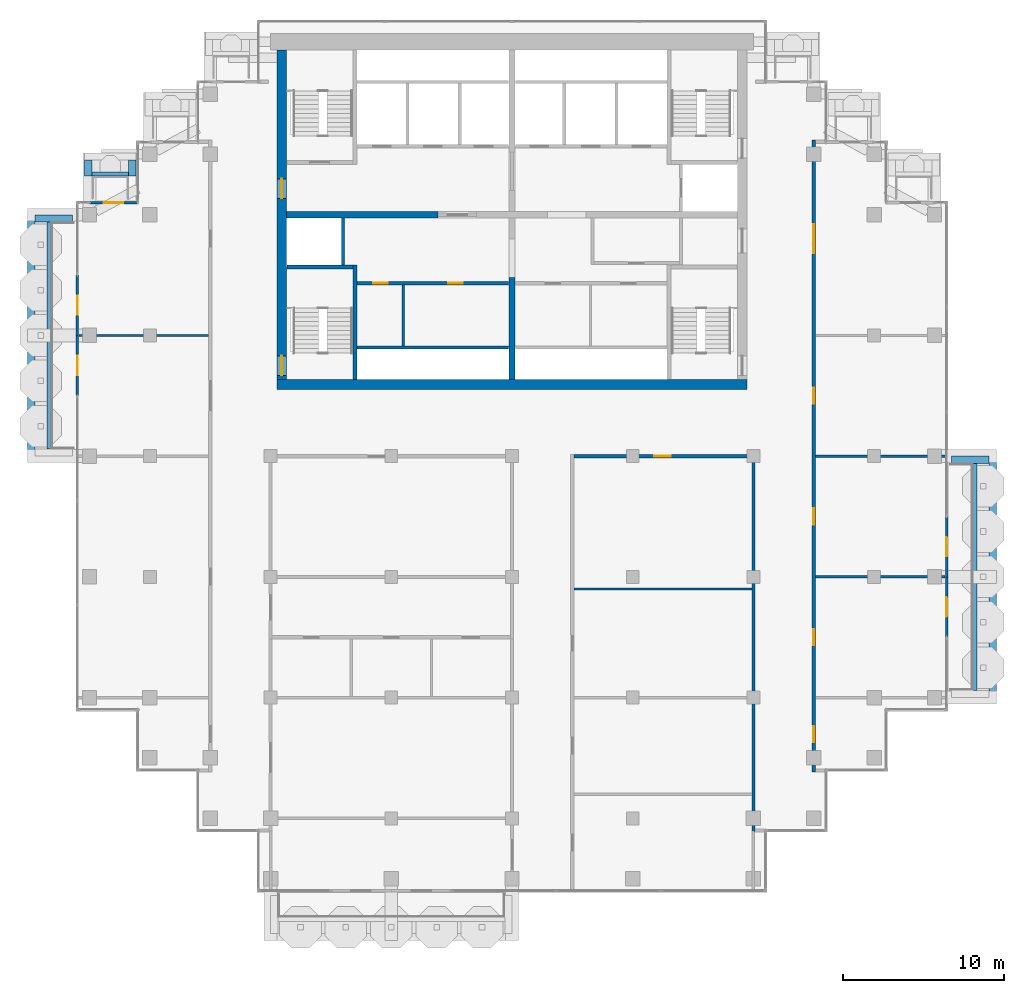
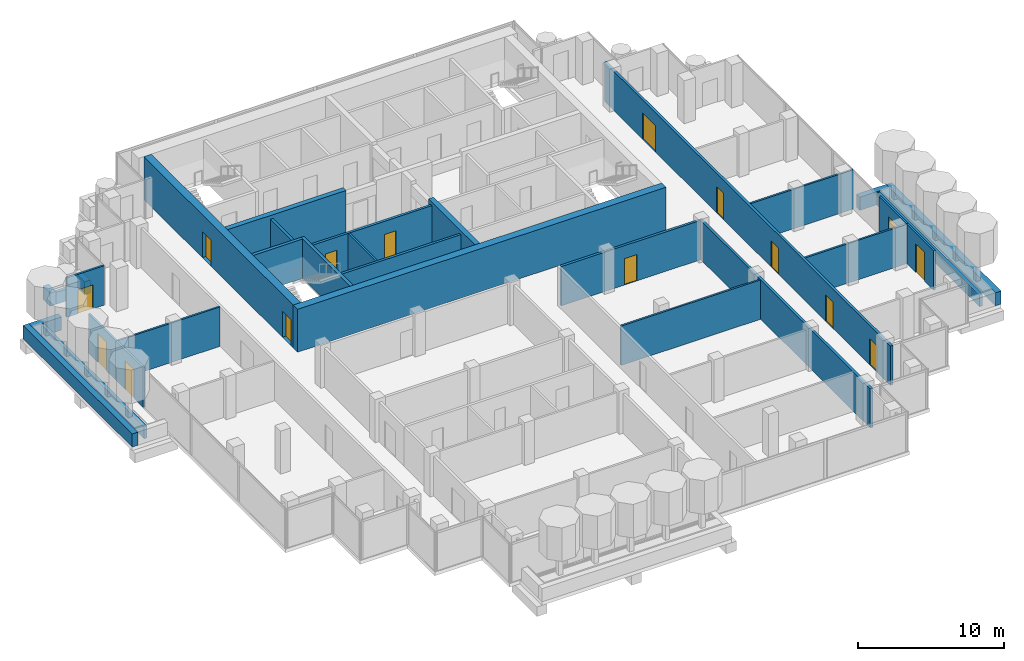
# One storey, part 12 of 18: 31 walls, 15 doors, 15 openings.
"""IFC4 building model written with IfcOpenShell, lengths in metres."""

from ifc_helpers import new_model, si_unit, direction, frame, frame_2d, origin, place, context, subcontext, project, spatial, rectangle, extrude, material, layer, layer_set, type_object, element, fill, save


model = new_model("IFC4")

# Units and contexts
model_context = context("Model", 3, precision=1e-05, world=origin(), true_north=direction((0.0, 1.0)))
body_context = subcontext(model_context, "Body", "Model", "MODEL_VIEW")
ifc_project = project(units=[si_unit("LENGTHUNIT", "METRE"), si_unit("AREAUNIT", "SQUARE_METRE"), si_unit("VOLUMEUNIT", "CUBIC_METRE"), si_unit("PLANEANGLEUNIT", "RADIAN"), si_unit("MASSUNIT", "GRAM", prefix="KILO")], contexts=[model_context])

# Site, building, storey
site_placement = place(None, origin())
site = spatial("IfcSite", under=ifc_project, at=site_placement, CompositionType="ELEMENT")
building_placement = place(site_placement, origin())
building = spatial("IfcBuilding", under=site, at=building_placement, Name="Pilkhan Gate Tower", CompositionType="ELEMENT")
storey_placement = place(building_placement, frame((0.0, 0.0, 242.699951171875)))
storey = spatial("IfcBuildingStorey", under=building, at=storey_placement, Name="L63", CompositionType="ELEMENT", Elevation=242.699951171875)

# Walls
ifc_material_1 = material(Name="Concrete C40/50", Category="concrete")
ifc_layer_1 = layer(ifc_material_1, 0.25)
ifc_layer_set_1 = layer_set([ifc_layer_1], Name="Balcony planter BP250")
wall_type_1 = type_object("IfcWallType", Name="Balcony planter BP250", PredefinedType="USERDEFINED", material=ifc_layer_set_1)
wall_1_placement = place(storey_placement, frame((103.77490234375, 52.949951171875, 0.0), z_axis=(0.0, 0.0, 1.0), x_axis=(0.0, 1.0, 0.0)))
element("IfcWall", 1, at=wall_1_placement, inside=storey, type_object=wall_type_1, Name="Balcony planter L63 E", ObjectType="BALCONY PLANTER", PredefinedType="USERDEFINED", context=body_context, shape_type="SweptSolid", body=[
    extrude(rectangle(XDim=14.10009765625, YDim=0.25, at=frame_2d((7.050048828125, 0.0))), origin(), (0.0, 0.0, 1.0), 1.0),
])
wall_2_placement = place(storey_placement, frame((48.89990234375, 85.02490234375, 0.0), z_axis=(0.0, 0.0, 1.0), x_axis=(1.0, 0.0, 0.0)))
element("IfcWall", 2, at=wall_2_placement, inside=storey, type_object=wall_type_1, Name="Balcony planter L63 N", ObjectType="BALCONY PLANTER", PredefinedType="USERDEFINED", context=body_context, shape_type="SweptSolid", body=[
    extrude(rectangle(XDim=2.280029296875, YDim=0.25, at=frame_2d((1.14013671875, 0.0))), origin(), (0.0, 0.0, 1.0), 1.0),
])
wall_3_placement = place(storey_placement, frame((46.22509765625, 67.949951171875, 0.0), z_axis=(0.0, 0.0, 1.0), x_axis=(0.0, 1.0, 0.0)))
element("IfcWall", 3, at=wall_3_placement, inside=storey, type_object=wall_type_1, Name="Balcony planter L63 W", ObjectType="BALCONY PLANTER", PredefinedType="USERDEFINED", context=body_context, shape_type="SweptSolid", body=[
    extrude(rectangle(XDim=14.10009765625, YDim=0.25, at=frame_2d((7.050048828125, 0.0))), origin(), (0.0, 0.0, 1.0), 1.0),
])
ifc_material_2 = material(Name="Board-marked Concrete C40/50", Category="concrete")
ifc_layer_2 = layer(ifc_material_2, 0.449951171875)
ifc_layer_set_2 = layer_set([ifc_layer_2], Name="Balcony planter lip BL450")
wall_type_2 = type_object("IfcWallType", Name="Balcony planter lip BL450", PredefinedType="USERDEFINED", material=ifc_layer_set_2)
wall_4_placement = place(storey_placement, frame((104.875, 52.5, 0.0), z_axis=(0.0, 0.0, 1.0), x_axis=(0.0, 1.0, 0.0)))
element("IfcWall", 4, at=wall_4_placement, inside=storey, type_object=wall_type_2, Name="Balcony planter L63 E", ObjectType="BALCONY PLANTER", PredefinedType="USERDEFINED", context=body_context, shape_type="SweptSolid", body=[
    extrude(rectangle(XDim=15.0, YDim=0.449951171875, at=frame_2d((7.5, 0.0))), origin(), (0.0, 0.0, 1.0), 1.10009765625),
])
wall_5_placement = place(storey_placement, frame((102.300048828125, 67.27490234375, 0.0), z_axis=(0.0, 0.0, 1.0), x_axis=(1.0, 0.0, 0.0)))
element("IfcWall", 5, at=wall_5_placement, inside=storey, type_object=wall_type_2, Name="Balcony planter L63 E", ObjectType="BALCONY PLANTER", PredefinedType="USERDEFINED", context=body_context, shape_type="SweptSolid", body=[
    extrude(rectangle(XDim=2.349853515625, YDim=0.449951171875, at=frame_2d((1.1748046875, 0.0))), origin(), (0.0, 0.0, 1.0), 1.10009765625),
])
for number, where, z_axis, x_axis, name in (
    (6, (48.675048828125, 84.89990234375, 0.0), (0.0, 0.0, 1.0), (0.0, 1.0, 0.0), "Balcony planter L63 N"),
    (7, (51.405029296875, 84.89990234375, 0.0), (0.0, 0.0, 1.0), (0.0, 1.0, 0.0), "Balcony planter L63 N"),
):
    element("IfcWall", number, at=place(storey_placement, frame(where, z_axis=z_axis, x_axis=x_axis)), inside=storey, type_object=wall_type_2, Name=name, ObjectType="BALCONY PLANTER", PredefinedType="USERDEFINED", context=body_context, shape_type="SweptSolid", body=[
        extrude(rectangle(XDim=1.0, YDim=0.449951171875, at=frame_2d((0.5, 0.0))), origin(), (0.0, 0.0, 1.0), 1.10009765625),
    ])
wall_6_placement = place(storey_placement, frame((45.125, 67.5, 0.0), z_axis=(0.0, 0.0, 1.0), x_axis=(0.0, 1.0, 0.0)))
element("IfcWall", 8, at=wall_6_placement, inside=storey, type_object=wall_type_2, Name="Balcony planter L63 W", ObjectType="BALCONY PLANTER", PredefinedType="USERDEFINED", context=body_context, shape_type="SweptSolid", body=[
    extrude(rectangle(XDim=15.0, YDim=0.449951171875, at=frame_2d((7.5, 0.0))), origin(), (0.0, 0.0, 1.0), 1.10009765625),
])
wall_7_placement = place(storey_placement, frame((47.699951171875, 82.27490234375, 0.0), z_axis=(0.0, 0.0, 1.0), x_axis=(-1.0, 0.0, 0.0)))
element("IfcWall", 9, at=wall_7_placement, inside=storey, type_object=wall_type_2, Name="Balcony planter L63 W", ObjectType="BALCONY PLANTER", PredefinedType="USERDEFINED", context=body_context, shape_type="SweptSolid", body=[
    extrude(rectangle(XDim=2.349853515625, YDim=0.449951171875, at=frame_2d((1.1748046875, 0.0))), origin(), (0.0, 0.0, 1.0), 1.10009765625),
])
ifc_material_3 = material(Name="Concrete C50/60", Category="concrete")
ifc_layer_3 = layer(ifc_material_3, 0.60009765625)
ifc_layer_set_3 = layer_set([ifc_layer_3], Name="Core wall CW600 C50/60")
wall_type_3 = type_object("IfcWallType", Name="Core wall CW600 C50/60", PredefinedType="SHEAR", material=ifc_layer_set_3)
wall_8_placement = place(storey_placement, frame((60.39990234375, 71.949951171875, 0.0), z_axis=(0.0, 0.0, 1.0), x_axis=(1.0, 0.0, 0.0)))
element("IfcWall", 10, at=wall_8_placement, inside=storey, type_object=wall_type_3, Name="Core wall S L63", PredefinedType="SHEAR", context=body_context, shape_type="SweptSolid", body=[
    extrude(rectangle(XDim=29.2001953125, YDim=0.60009765625, at=frame_2d((14.60009765625, 0.0))), origin(), (0.0, 0.0, 1.0), 3.60009765625),
])

# Wall, openings, doors
wall_9_placement = place(storey_placement, frame((60.699951171875, 92.75, 0.0), z_axis=(0.0, 0.0, 1.0), x_axis=(0.0, -1.0, 0.0)))
wall_9 = element("IfcWall", 11, at=wall_9_placement, inside=storey, type_object=wall_type_3, Name="Core wall W L63", PredefinedType="SHEAR", context=body_context, shape_type="SweptSolid", body=[
    extrude(rectangle(XDim=20.5, YDim=0.60009765625, at=frame_2d((10.25, 0.0))), origin(), (0.0, 0.0, 1.0), 3.60009765625),
])
opening_1_placement = place(wall_9_placement, frame((19.02490234375, 0.0, 0.0)))
opening_1 = element("IfcOpeningElement", 12, at=opening_1_placement, cuts=wall_9, Name="Opening L63-04", PredefinedType="OPENING", context=body_context, shape_type="SweptSolid", body=[
    extrude(rectangle(XDim=1.199951171875, YDim=2.199951171875, at=frame_2d((0.60009765625, 1.10009765625))), frame((0.0, 0.31005859375, 0.0), z_axis=(0.0, -1.0, 0.0), x_axis=(1.0, 0.0, 0.0)), (0.0, 0.0, 1.0), 0.6201171875),
])
opening_2_placement = place(wall_9_placement, frame((8.02490234375, 0.0, 0.0)))
opening_2 = element("IfcOpeningElement", 13, at=opening_2_placement, cuts=wall_9, Name="Opening L63-08", PredefinedType="OPENING", context=body_context, shape_type="SweptSolid", body=[
    extrude(rectangle(XDim=1.199951171875, YDim=2.199951171875, at=frame_2d((0.60009765625, 1.10009765625))), frame((0.0, 0.31005859375, 0.0), z_axis=(0.0, -1.0, 0.0), x_axis=(1.0, 0.0, 0.0)), (0.0, 0.0, 1.0), 0.6201171875),
])
ifc_material_4 = material(Name="Steel door, 120 minute fire resisting, self-closing", Category="steel")
door_type_1 = type_object("IfcDoorType", Name="Firefighting lobby door D10 1200x2200", OperationType="SINGLE_SWING_LEFT", PredefinedType="DOOR", material=ifc_material_4)
door_1_placement = place(opening_2_placement, origin())
door_1 = element("IfcDoor", 14, at=door_1_placement, inside=storey, type_object=door_type_1, Name="Core door", OperationType="SINGLE_SWING_LEFT", OverallHeight=2.199951171875, OverallWidth=1.199951171875, PredefinedType="DOOR", context=body_context, shape_type="SweptSolid", body=[
    extrude(rectangle(XDim=1.199951171875, YDim=2.199951171875, at=frame_2d((0.60009765625, 1.10009765625))), frame((0.0, 0.02490234375, 0.0), z_axis=(0.0, -1.0, 0.0), x_axis=(1.0, 0.0, 0.0)), (0.0, 0.0, 1.0), 0.050048828125),
])
fill(opening_2, door_1)
ifc_material_5 = material(Name="Steel door, 120 minute fire resisting, panic bar", Category="steel")
door_type_2 = type_object("IfcDoorType", Name="Stair door D11 1200x2200", OperationType="SINGLE_SWING_LEFT", PredefinedType="DOOR", material=ifc_material_5)
door_2_placement = place(opening_1_placement, origin())
door_2 = element("IfcDoor", 15, at=door_2_placement, inside=storey, type_object=door_type_2, Name="Stair ST2 door", OperationType="SINGLE_SWING_LEFT", OverallHeight=2.199951171875, OverallWidth=1.199951171875, PredefinedType="DOOR", context=body_context, shape_type="SweptSolid", body=[
    extrude(rectangle(XDim=1.199951171875, YDim=2.199951171875, at=frame_2d((0.60009765625, 1.10009765625))), frame((0.0, 0.02490234375, 0.0), z_axis=(0.0, -1.0, 0.0), x_axis=(1.0, 0.0, 0.0)), (0.0, 0.0, 1.0), 0.050048828125),
])
fill(opening_1, door_2)

# Wall, opening, door
ifc_material_6 = material(Name="Dense blockwork", Category="masonry")
ifc_layer_4 = layer(ifc_material_6, 0.199951171875)
ifc_layer_set_4 = layer_set([ifc_layer_4], Name="Corridor wall FW200")
wall_type_4 = type_object("IfcWallType", Name="Corridor wall FW200", PredefinedType="PARTITIONING", material=ifc_layer_set_4)
wall_10_placement = place(storey_placement, frame((78.85009765625, 67.5, 0.0), z_axis=(0.0, 0.0, 1.0), x_axis=(1.0, 0.0, 0.0)))
wall_10 = element("IfcWall", 16, at=wall_10_placement, inside=storey, type_object=wall_type_4, Name="Partition L63", PredefinedType="PARTITIONING", context=body_context, shape_type="SweptSolid", body=[
    extrude(rectangle(XDim=11.0498046875, YDim=0.199951171875, at=frame_2d((5.52490234375, 0.0))), origin(), (0.0, 0.0, 1.0), 3.300048828125),
])
opening_3_placement = place(wall_10_placement, frame((5.0, 0.0, 0.0)))
opening_3 = element("IfcOpeningElement", 17, at=opening_3_placement, cuts=wall_10, Name="Opening L63-23", PredefinedType="OPENING", context=body_context, shape_type="SweptSolid", body=[
    extrude(rectangle(XDim=1.0, YDim=2.199951171875, at=frame_2d((0.5, 1.10009765625))), frame((0.0, 0.10986328125, 0.0), z_axis=(0.0, -1.0, 0.0), x_axis=(1.0, 0.0, 0.0)), (0.0, 0.0, 1.0), 0.219970703125),
])
ifc_material_7 = material(Name="Timber flush door, 30 minute fire resisting", Category="wood")
door_type_3 = type_object("IfcDoorType", Name="Room door D03 1000x2200", OperationType="SINGLE_SWING_LEFT", PredefinedType="DOOR", material=ifc_material_7)
door_3_placement = place(opening_3_placement, origin())
door_3 = element("IfcDoor", 18, at=door_3_placement, inside=storey, type_object=door_type_3, Name="Room door", OperationType="SINGLE_SWING_LEFT", OverallHeight=2.199951171875, OverallWidth=1.0, PredefinedType="DOOR", context=body_context, shape_type="SweptSolid", body=[
    extrude(rectangle(XDim=1.0, YDim=2.199951171875, at=frame_2d((0.5, 1.10009765625))), frame((0.0, 0.02490234375, 0.0), z_axis=(0.0, -1.0, 0.0), x_axis=(1.0, 0.0, 0.0)), (0.0, 0.0, 1.0), 0.050048828125),
])
fill(opening_3, door_3)

# Wall
wall_11_placement = place(storey_placement, frame((90.0, 44.135009765625, 0.0), z_axis=(0.0, 0.0, 1.0), x_axis=(0.0, 1.0, 0.0)))
element("IfcWall", 19, at=wall_11_placement, inside=storey, type_object=wall_type_4, Name="Partition L63", PredefinedType="PARTITIONING", context=body_context, shape_type="SweptSolid", body=[
    extrude(rectangle(XDim=23.465087890625, YDim=0.199951171875, at=frame_2d((11.732421875, 0.0))), origin(), (0.0, 0.0, 1.0), 3.300048828125),
])

# Wall, openings, doors
wall_12_placement = place(storey_placement, frame((93.75, 47.8701171875, 0.0), z_axis=(0.0, 0.0, 1.0), x_axis=(0.0, 1.0, 0.0)))
wall_12 = element("IfcWall", 20, at=wall_12_placement, inside=storey, type_object=wall_type_4, Name="Partition L63", PredefinedType="PARTITIONING", context=body_context, shape_type="SweptSolid", body=[
    extrude(rectangle(XDim=39.259765625, YDim=0.199951171875, at=frame_2d((19.6298828125, 0.0))), origin(), (0.0, 0.0, 1.0), 3.300048828125),
])
opening_4_placement = place(wall_12_placement, frame((1.85009765625, 0.0, 0.0)))
opening_4 = element("IfcOpeningElement", 21, at=opening_4_placement, cuts=wall_12, Name="Opening L63-27", PredefinedType="OPENING", context=body_context, shape_type="SweptSolid", body=[
    extrude(rectangle(XDim=1.0, YDim=2.199951171875, at=frame_2d((0.5, 1.10009765625))), frame((0.0, 0.10986328125, 0.0), z_axis=(0.0, -1.0, 0.0), x_axis=(1.0, 0.0, 0.0)), (0.0, 0.0, 1.0), 0.219970703125),
])
opening_5_placement = place(wall_12_placement, frame((7.8798828125, 0.0, 0.0)))
opening_5 = element("IfcOpeningElement", 22, at=opening_5_placement, cuts=wall_12, Name="Opening L63-28", PredefinedType="OPENING", context=body_context, shape_type="SweptSolid", body=[
    extrude(rectangle(XDim=1.0, YDim=2.199951171875, at=frame_2d((0.5, 1.10009765625))), frame((0.0, 0.10986328125, 0.0), z_axis=(0.0, -1.0, 0.0), x_axis=(1.0, 0.0, 0.0)), (0.0, 0.0, 1.0), 0.219970703125),
])
opening_6_placement = place(wall_12_placement, frame((15.3798828125, 0.0, 0.0)))
opening_6 = element("IfcOpeningElement", 23, at=opening_6_placement, cuts=wall_12, Name="Opening L63-29", PredefinedType="OPENING", context=body_context, shape_type="SweptSolid", body=[
    extrude(rectangle(XDim=1.0, YDim=2.199951171875, at=frame_2d((0.5, 1.10009765625))), frame((0.0, 0.10986328125, 0.0), z_axis=(0.0, -1.0, 0.0), x_axis=(1.0, 0.0, 0.0)), (0.0, 0.0, 1.0), 0.219970703125),
])
opening_7_placement = place(wall_12_placement, frame((22.8798828125, 0.0, 0.0)))
opening_7 = element("IfcOpeningElement", 24, at=opening_7_placement, cuts=wall_12, Name="Opening L63-30", PredefinedType="OPENING", context=body_context, shape_type="SweptSolid", body=[
    extrude(rectangle(XDim=1.0, YDim=2.199951171875, at=frame_2d((0.5, 1.10009765625))), frame((0.0, 0.10986328125, 0.0), z_axis=(0.0, -1.0, 0.0), x_axis=(1.0, 0.0, 0.0)), (0.0, 0.0, 1.0), 0.219970703125),
])
opening_8_placement = place(wall_12_placement, frame((32.22998046875, 0.0, 0.0)))
opening_8 = element("IfcOpeningElement", 25, at=opening_8_placement, cuts=wall_12, Name="Opening L63-32", PredefinedType="OPENING", context=body_context, shape_type="SweptSolid", body=[
    extrude(rectangle(XDim=1.800048828125, YDim=2.199951171875, at=frame_2d((0.89990234375, 1.10009765625))), frame((0.0, 0.10986328125, 0.0), z_axis=(0.0, -1.0, 0.0), x_axis=(1.0, 0.0, 0.0)), (0.0, 0.0, 1.0), 0.219970703125),
])
ifc_material_8 = material(Name="Timber glazed double door, 30 minute fire resisting", Category="wood")
door_type_4 = type_object("IfcDoorType", Name="Double door D04 1800x2200", OperationType="DOUBLE_DOOR_SINGLE_SWING", PredefinedType="DOOR", material=ifc_material_8)
door_4_placement = place(opening_8_placement, origin())
door_4 = element("IfcDoor", 26, at=door_4_placement, inside=storey, type_object=door_type_4, Name="Double door", OperationType="DOUBLE_DOOR_SINGLE_SWING", OverallHeight=2.199951171875, OverallWidth=1.800048828125, PredefinedType="DOOR", context=body_context, shape_type="SweptSolid", body=[
    extrude(rectangle(XDim=1.800048828125, YDim=2.199951171875, at=frame_2d((0.89990234375, 1.10009765625))), frame((0.0, 0.02490234375, 0.0), z_axis=(0.0, -1.0, 0.0), x_axis=(1.0, 0.0, 0.0)), (0.0, 0.0, 1.0), 0.050048828125),
])
fill(opening_8, door_4)
door_5_placement = place(opening_4_placement, origin())
door_5 = element("IfcDoor", 27, at=door_5_placement, inside=storey, type_object=door_type_3, Name="Room door", OperationType="SINGLE_SWING_RIGHT", OverallHeight=2.199951171875, OverallWidth=1.0, PredefinedType="DOOR", context=body_context, shape_type="SweptSolid", body=[
    extrude(rectangle(XDim=1.0, YDim=2.199951171875, at=frame_2d((0.5, 1.10009765625))), frame((0.0, 0.02490234375, 0.0), z_axis=(0.0, -1.0, 0.0), x_axis=(1.0, 0.0, 0.0)), (0.0, 0.0, 1.0), 0.050048828125),
])
fill(opening_4, door_5)
door_6_placement = place(opening_5_placement, origin())
door_6 = element("IfcDoor", 28, at=door_6_placement, inside=storey, type_object=door_type_3, Name="Room door", OperationType="SINGLE_SWING_RIGHT", OverallHeight=2.199951171875, OverallWidth=1.0, PredefinedType="DOOR", context=body_context, shape_type="SweptSolid", body=[
    extrude(rectangle(XDim=1.0, YDim=2.199951171875, at=frame_2d((0.5, 1.10009765625))), frame((0.0, 0.02490234375, 0.0), z_axis=(0.0, -1.0, 0.0), x_axis=(1.0, 0.0, 0.0)), (0.0, 0.0, 1.0), 0.050048828125),
])
fill(opening_5, door_6)
door_7_placement = place(opening_6_placement, origin())
door_7 = element("IfcDoor", 29, at=door_7_placement, inside=storey, type_object=door_type_3, Name="Room door", OperationType="SINGLE_SWING_LEFT", OverallHeight=2.199951171875, OverallWidth=1.0, PredefinedType="DOOR", context=body_context, shape_type="SweptSolid", body=[
    extrude(rectangle(XDim=1.0, YDim=2.199951171875, at=frame_2d((0.5, 1.10009765625))), frame((0.0, 0.02490234375, 0.0), z_axis=(0.0, -1.0, 0.0), x_axis=(1.0, 0.0, 0.0)), (0.0, 0.0, 1.0), 0.050048828125),
])
fill(opening_6, door_7)
door_8_placement = place(opening_7_placement, origin())
door_8 = element("IfcDoor", 30, at=door_8_placement, inside=storey, type_object=door_type_3, Name="Room door", OperationType="SINGLE_SWING_RIGHT", OverallHeight=2.199951171875, OverallWidth=1.0, PredefinedType="DOOR", context=body_context, shape_type="SweptSolid", body=[
    extrude(rectangle(XDim=1.0, YDim=2.199951171875, at=frame_2d((0.5, 1.10009765625))), frame((0.0, 0.02490234375, 0.0), z_axis=(0.0, -1.0, 0.0), x_axis=(1.0, 0.0, 0.0)), (0.0, 0.0, 1.0), 0.050048828125),
])
fill(opening_7, door_8)

# Wall, opening, door
ifc_material_9 = material(Name="Pale anodised aluminium, clear laminated glazing", Category="aluminium")
ifc_layer_5 = layer(ifc_material_9, 0.14990234375)
ifc_layer_set_5 = layer_set([ifc_layer_5], Name="Facade infill wall IW150")
wall_type_5 = type_object("IfcWallType", Name="Facade infill wall IW150", PredefinedType="SOLIDWALL", material=ifc_layer_set_5)
wall_13_placement = place(storey_placement, frame((102.0, 56.25, 0.0), z_axis=(0.0, 0.0, 1.0), x_axis=(0.0, 1.0, 0.0)))
wall_13 = element("IfcWall", 31, at=wall_13_placement, inside=storey, type_object=wall_type_5, Name="Infill wall L63 E", PredefinedType="SOLIDWALL", context=body_context, shape_type="SweptSolid", body=[
    extrude(rectangle(XDim=3.75, YDim=0.14990234375, at=frame_2d((1.875, 0.0))), origin(), (0.0, 0.0, 1.0), 3.300048828125),
])
opening_9_placement = place(wall_13_placement, frame((1.27490234375, 0.0, 0.0)))
opening_9 = element("IfcOpeningElement", 32, at=opening_9_placement, cuts=wall_13, Name="Opening D1", PredefinedType="OPENING", context=body_context, shape_type="SweptSolid", body=[
    extrude(rectangle(XDim=1.199951171875, YDim=2.39990234375, at=frame_2d((0.60009765625, 1.199951171875))), frame((0.0, 0.0849609375, 0.0), z_axis=(0.0, -1.0, 0.0), x_axis=(1.0, 0.0, 0.0)), (0.0, 0.0, 1.0), 0.169921875),
])
ifc_material_10 = material(Name="Pale anodised aluminium, clear glazing", Category="aluminium")
door_type_5 = type_object("IfcDoorType", Name="Balcony door D1 1200x2400", OperationType="SINGLE_SWING_LEFT", PredefinedType="DOOR", material=ifc_material_10)
door_9_placement = place(opening_9_placement, origin())
door_9 = element("IfcDoor", 33, at=door_9_placement, inside=storey, type_object=door_type_5, Name="Balcony door L63", OperationType="SINGLE_SWING_LEFT", OverallHeight=2.39990234375, OverallWidth=1.199951171875, PredefinedType="DOOR", context=body_context, shape_type="SweptSolid", body=[
    extrude(rectangle(XDim=1.199951171875, YDim=2.39990234375, at=frame_2d((0.60009765625, 1.199951171875))), frame((0.0, 0.02490234375, 0.0), z_axis=(0.0, -1.0, 0.0), x_axis=(1.0, 0.0, 0.0)), (0.0, 0.0, 1.0), 0.050048828125),
])
fill(opening_9, door_9)

wall_14_placement = place(storey_placement, frame((102.0, 60.0, 0.0), z_axis=(0.0, 0.0, 1.0), x_axis=(0.0, 1.0, 0.0)))
wall_14 = element("IfcWall", 34, at=wall_14_placement, inside=storey, type_object=wall_type_5, Name="Infill wall L63 E", PredefinedType="SOLIDWALL", context=body_context, shape_type="SweptSolid", body=[
    extrude(rectangle(XDim=3.75, YDim=0.14990234375, at=frame_2d((1.875, 0.0))), origin(), (0.0, 0.0, 1.0), 3.300048828125),
])
opening_10_placement = place(wall_14_placement, frame((1.27490234375, 0.0, 0.0)))
opening_10 = element("IfcOpeningElement", 35, at=opening_10_placement, cuts=wall_14, Name="Opening D1", PredefinedType="OPENING", context=body_context, shape_type="SweptSolid", body=[
    extrude(rectangle(XDim=1.199951171875, YDim=2.39990234375, at=frame_2d((0.60009765625, 1.199951171875))), frame((0.0, 0.0849609375, 0.0), z_axis=(0.0, -1.0, 0.0), x_axis=(1.0, 0.0, 0.0)), (0.0, 0.0, 1.0), 0.169921875),
])
door_10_placement = place(opening_10_placement, origin())
door_10 = element("IfcDoor", 36, at=door_10_placement, inside=storey, type_object=door_type_5, Name="Balcony door L63", OperationType="SINGLE_SWING_LEFT", OverallHeight=2.39990234375, OverallWidth=1.199951171875, PredefinedType="DOOR", context=body_context, shape_type="SweptSolid", body=[
    extrude(rectangle(XDim=1.199951171875, YDim=2.39990234375, at=frame_2d((0.60009765625, 1.199951171875))), frame((0.0, 0.02490234375, 0.0), z_axis=(0.0, -1.0, 0.0), x_axis=(1.0, 0.0, 0.0)), (0.0, 0.0, 1.0), 0.050048828125),
])
fill(opening_10, door_10)

wall_15_placement = place(storey_placement, frame((48.75, 83.25, 0.0), z_axis=(0.0, 0.0, 1.0), x_axis=(1.0, 0.0, 0.0)))
wall_15 = element("IfcWall", 37, at=wall_15_placement, inside=storey, type_object=wall_type_5, Name="Infill wall L63 N", PredefinedType="SOLIDWALL", context=body_context, shape_type="SweptSolid", body=[
    extrude(rectangle(XDim=3.0, YDim=0.14990234375, at=frame_2d((1.5, 0.0))), origin(), (0.0, 0.0, 1.0), 3.300048828125),
])
opening_11_placement = place(wall_15_placement, frame((0.89990234375, 0.0, 0.0)))
opening_11 = element("IfcOpeningElement", 38, at=opening_11_placement, cuts=wall_15, Name="Opening D1L", PredefinedType="OPENING", context=body_context, shape_type="SweptSolid", body=[
    extrude(rectangle(XDim=1.199951171875, YDim=2.0, at=frame_2d((0.60009765625, 1.0))), frame((0.0, 0.0849609375, 0.0), z_axis=(0.0, -1.0, 0.0), x_axis=(1.0, 0.0, 0.0)), (0.0, 0.0, 1.0), 0.169921875),
])
door_type_6 = type_object("IfcDoorType", Name="Balcony door D1L 1200x2000", OperationType="SINGLE_SWING_LEFT", PredefinedType="DOOR", material=ifc_material_10)
door_11_placement = place(opening_11_placement, origin())
door_11 = element("IfcDoor", 39, at=door_11_placement, inside=storey, type_object=door_type_6, Name="Balcony door L63", OperationType="SINGLE_SWING_LEFT", OverallHeight=2.0, OverallWidth=1.199951171875, PredefinedType="DOOR", context=body_context, shape_type="SweptSolid", body=[
    extrude(rectangle(XDim=1.199951171875, YDim=2.0, at=frame_2d((0.60009765625, 1.0))), frame((0.0, 0.02490234375, 0.0), z_axis=(0.0, -1.0, 0.0), x_axis=(1.0, 0.0, 0.0)), (0.0, 0.0, 1.0), 0.050048828125),
])
fill(opening_11, door_11)

wall_16_placement = place(storey_placement, frame((48.0, 71.25, 0.0), z_axis=(0.0, 0.0, 1.0), x_axis=(0.0, 1.0, 0.0)))
wall_16 = element("IfcWall", 40, at=wall_16_placement, inside=storey, type_object=wall_type_5, Name="Infill wall L63 W", PredefinedType="SOLIDWALL", context=body_context, shape_type="SweptSolid", body=[
    extrude(rectangle(XDim=3.75, YDim=0.14990234375, at=frame_2d((1.875, 0.0))), origin(), (0.0, 0.0, 1.0), 3.300048828125),
])
opening_12_placement = place(wall_16_placement, frame((1.27490234375, 0.0, 0.0)))
opening_12 = element("IfcOpeningElement", 41, at=opening_12_placement, cuts=wall_16, Name="Opening D1", PredefinedType="OPENING", context=body_context, shape_type="SweptSolid", body=[
    extrude(rectangle(XDim=1.199951171875, YDim=2.39990234375, at=frame_2d((0.60009765625, 1.199951171875))), frame((0.0, 0.0849609375, 0.0), z_axis=(0.0, -1.0, 0.0), x_axis=(1.0, 0.0, 0.0)), (0.0, 0.0, 1.0), 0.169921875),
])
door_12_placement = place(opening_12_placement, origin())
door_12 = element("IfcDoor", 42, at=door_12_placement, inside=storey, type_object=door_type_5, Name="Balcony door L63", OperationType="SINGLE_SWING_LEFT", OverallHeight=2.39990234375, OverallWidth=1.199951171875, PredefinedType="DOOR", context=body_context, shape_type="SweptSolid", body=[
    extrude(rectangle(XDim=1.199951171875, YDim=2.39990234375, at=frame_2d((0.60009765625, 1.199951171875))), frame((0.0, 0.02490234375, 0.0), z_axis=(0.0, -1.0, 0.0), x_axis=(1.0, 0.0, 0.0)), (0.0, 0.0, 1.0), 0.050048828125),
])
fill(opening_12, door_12)

wall_17_placement = place(storey_placement, frame((48.0, 75.0, 0.0), z_axis=(0.0, 0.0, 1.0), x_axis=(0.0, 1.0, 0.0)))
wall_17 = element("IfcWall", 43, at=wall_17_placement, inside=storey, type_object=wall_type_5, Name="Infill wall L63 W", PredefinedType="SOLIDWALL", context=body_context, shape_type="SweptSolid", body=[
    extrude(rectangle(XDim=3.75, YDim=0.14990234375, at=frame_2d((1.875, 0.0))), origin(), (0.0, 0.0, 1.0), 3.300048828125),
])
opening_13_placement = place(wall_17_placement, frame((1.27490234375, 0.0, 0.0)))
opening_13 = element("IfcOpeningElement", 44, at=opening_13_placement, cuts=wall_17, Name="Opening D1", PredefinedType="OPENING", context=body_context, shape_type="SweptSolid", body=[
    extrude(rectangle(XDim=1.199951171875, YDim=2.39990234375, at=frame_2d((0.60009765625, 1.199951171875))), frame((0.0, 0.0849609375, 0.0), z_axis=(0.0, -1.0, 0.0), x_axis=(1.0, 0.0, 0.0)), (0.0, 0.0, 1.0), 0.169921875),
])
door_13_placement = place(opening_13_placement, origin())
door_13 = element("IfcDoor", 45, at=door_13_placement, inside=storey, type_object=door_type_5, Name="Balcony door L63", OperationType="SINGLE_SWING_LEFT", OverallHeight=2.39990234375, OverallWidth=1.199951171875, PredefinedType="DOOR", context=body_context, shape_type="SweptSolid", body=[
    extrude(rectangle(XDim=1.199951171875, YDim=2.39990234375, at=frame_2d((0.60009765625, 1.199951171875))), frame((0.0, 0.02490234375, 0.0), z_axis=(0.0, -1.0, 0.0), x_axis=(1.0, 0.0, 0.0)), (0.0, 0.0, 1.0), 0.050048828125),
])
fill(opening_13, door_13)

# Wall
ifc_layer_6 = layer(ifc_material_6, 0.199951171875)
ifc_layer_set_6 = layer_set([ifc_layer_6], Name="Lobby wall LW200")
wall_type_6 = type_object("IfcWallType", Name="Lobby wall LW200", PredefinedType="PARTITIONING", material=ifc_layer_set_6)
wall_18_placement = place(storey_placement, frame((65.375, 74.25, 0.0), z_axis=(0.0, 0.0, 1.0), x_axis=(1.0, 0.0, 0.0)))
element("IfcWall", 46, at=wall_18_placement, inside=storey, type_object=wall_type_6, Name="Partition L63", PredefinedType="PARTITIONING", context=body_context, shape_type="SweptSolid", body=[
    extrude(rectangle(XDim=9.4150390625, YDim=0.199951171875, at=frame_2d((4.70751953125, 0.0))), origin(), (0.0, 0.0, 1.0), 3.300048828125),
])

# Wall, openings, doors
wall_19_placement = place(storey_placement, frame((65.375, 78.25, 0.0), z_axis=(0.0, 0.0, 1.0), x_axis=(1.0, 0.0, 0.0)))
wall_19 = element("IfcWall", 47, at=wall_19_placement, inside=storey, type_object=wall_type_6, Name="Partition L63", PredefinedType="PARTITIONING", context=body_context, shape_type="SweptSolid", body=[
    extrude(rectangle(XDim=9.4150390625, YDim=0.199951171875, at=frame_2d((4.70751953125, 0.0))), origin(), (0.0, 0.0, 1.0), 3.300048828125),
])
opening_14_placement = place(wall_19_placement, frame((1.0, 0.0, 0.0)))
opening_14 = element("IfcOpeningElement", 48, at=opening_14_placement, cuts=wall_19, Name="Opening L63-09", PredefinedType="OPENING", context=body_context, shape_type="SweptSolid", body=[
    extrude(rectangle(XDim=0.89990234375, YDim=2.199951171875, at=frame_2d((0.449951171875, 1.10009765625))), frame((0.0, 0.10986328125, 0.0), z_axis=(0.0, -1.0, 0.0), x_axis=(1.0, 0.0, 0.0)), (0.0, 0.0, 1.0), 0.219970703125),
])
opening_15_placement = place(wall_19_placement, frame((5.6650390625, 0.0, 0.0)))
opening_15 = element("IfcOpeningElement", 49, at=opening_15_placement, cuts=wall_19, Name="Opening L63-10", PredefinedType="OPENING", context=body_context, shape_type="SweptSolid", body=[
    extrude(rectangle(XDim=0.89990234375, YDim=2.199951171875, at=frame_2d((0.449951171875, 1.10009765625))), frame((0.0, 0.10986328125, 0.0), z_axis=(0.0, -1.0, 0.0), x_axis=(1.0, 0.0, 0.0)), (0.0, 0.0, 1.0), 0.219970703125),
])
ifc_material_11 = material(Name="Timber flush door, 60 minute fire resisting, self-closing", Category="wood")
door_type_7 = type_object("IfcDoorType", Name="Store door D05 900x2200", OperationType="SINGLE_SWING_LEFT", PredefinedType="DOOR", material=ifc_material_11)
door_14_placement = place(opening_14_placement, origin())
door_14 = element("IfcDoor", 50, at=door_14_placement, inside=storey, type_object=door_type_7, Name="Store door", OperationType="SINGLE_SWING_LEFT", OverallHeight=2.199951171875, OverallWidth=0.89990234375, PredefinedType="DOOR", context=body_context, shape_type="SweptSolid", body=[
    extrude(rectangle(XDim=0.89990234375, YDim=2.199951171875, at=frame_2d((0.449951171875, 1.10009765625))), frame((0.0, 0.02490234375, 0.0), z_axis=(0.0, -1.0, 0.0), x_axis=(1.0, 0.0, 0.0)), (0.0, 0.0, 1.0), 0.050048828125),
])
fill(opening_14, door_14)
door_15_placement = place(opening_15_placement, origin())
door_15 = element("IfcDoor", 51, at=door_15_placement, inside=storey, type_object=door_type_7, Name="Store door", OperationType="SINGLE_SWING_LEFT", OverallHeight=2.199951171875, OverallWidth=0.89990234375, PredefinedType="DOOR", context=body_context, shape_type="SweptSolid", body=[
    extrude(rectangle(XDim=0.89990234375, YDim=2.199951171875, at=frame_2d((0.449951171875, 1.10009765625))), frame((0.0, 0.02490234375, 0.0), z_axis=(0.0, -1.0, 0.0), x_axis=(1.0, 0.0, 0.0)), (0.0, 0.0, 1.0), 0.050048828125),
])
fill(opening_15, door_15)

# Walls
ifc_material_12 = material(Name="Blockwork partition, plastered both sides", Category="masonry")
ifc_layer_7 = layer(ifc_material_12, 0.14990234375)
ifc_layer_set_7 = layer_set([ifc_layer_7], Name="Partition PW150")
wall_type_7 = type_object("IfcWallType", Name="Partition PW150", PredefinedType="PARTITIONING", material=ifc_layer_set_7)
wall_20_placement = place(storey_placement, frame((78.85009765625, 59.25, 0.0), z_axis=(0.0, 0.0, 1.0), x_axis=(1.0, 0.0, 0.0)))
element("IfcWall", 52, at=wall_20_placement, inside=storey, type_object=wall_type_7, Name="Partition L63", PredefinedType="PARTITIONING", context=body_context, shape_type="SweptSolid", body=[
    extrude(rectangle(XDim=11.0498046875, YDim=0.14990234375, at=frame_2d((5.52490234375, 0.0))), origin(), (0.0, 0.0, 1.0), 3.300048828125),
])
wall_21_placement = place(storey_placement, frame((93.85009765625, 60.0, 0.0), z_axis=(0.0, 0.0, 1.0), x_axis=(1.0, 0.0, 0.0)))
element("IfcWall", 53, at=wall_21_placement, inside=storey, type_object=wall_type_7, Name="Partition L63", PredefinedType="PARTITIONING", context=body_context, shape_type="SweptSolid", body=[
    extrude(rectangle(XDim=8.06494140625, YDim=0.14990234375, at=frame_2d((4.032470703125, 0.0))), origin(), (0.0, 0.0, 1.0), 3.300048828125),
])
wall_22_placement = place(storey_placement, frame((93.85009765625, 67.5, 0.0), z_axis=(0.0, 0.0, 1.0), x_axis=(1.0, 0.0, 0.0)))
element("IfcWall", 54, at=wall_22_placement, inside=storey, type_object=wall_type_7, Name="Partition L63", PredefinedType="PARTITIONING", context=body_context, shape_type="SweptSolid", body=[
    extrude(rectangle(XDim=8.164794921875, YDim=0.14990234375, at=frame_2d((4.08251953125, 0.0))), origin(), (0.0, 0.0, 1.0), 3.300048828125),
])
wall_23_placement = place(storey_placement, frame((48.0849609375, 75.0, 0.0), z_axis=(0.0, 0.0, 1.0), x_axis=(1.0, 0.0, 0.0)))
element("IfcWall", 55, at=wall_23_placement, inside=storey, type_object=wall_type_7, Name="Partition L63", PredefinedType="PARTITIONING", context=body_context, shape_type="SweptSolid", body=[
    extrude(rectangle(XDim=8.06494140625, YDim=0.14990234375, at=frame_2d((4.032470703125, 0.0))), origin(), (0.0, 0.0, 1.0), 3.300048828125),
])
wall_24_placement = place(storey_placement, frame((68.239990234375, 74.35009765625, 0.0), z_axis=(0.0, 0.0, 1.0), x_axis=(0.0, 1.0, 0.0)))
element("IfcWall", 56, at=wall_24_placement, inside=storey, type_object=wall_type_7, Name="Partition L63", PredefinedType="PARTITIONING", context=body_context, shape_type="SweptSolid", body=[
    extrude(rectangle(XDim=3.7998046875, YDim=0.14990234375, at=frame_2d((1.89990234375, 0.0))), origin(), (0.0, 0.0, 1.0), 3.300048828125),
])
ifc_material_13 = material(Name="Reinforced blockwork shaft wall, 120 minute fire resisting", Category="masonry")
ifc_layer_8 = layer(ifc_material_13, 0.199951171875)
ifc_layer_set_8 = layer_set([ifc_layer_8], Name="Shaft wall SW200")
wall_type_8 = type_object("IfcWallType", Name="Shaft wall SW200", PredefinedType="PARTITIONING", material=ifc_layer_set_8)
wall_25_placement = place(storey_placement, frame((64.5, 79.375, 0.0), z_axis=(0.0, 0.0, 1.0), x_axis=(0.0, 1.0, 0.0)))
element("IfcWall", 57, at=wall_25_placement, inside=storey, type_object=wall_type_8, Name="Partition L63", PredefinedType="PARTITIONING", context=body_context, shape_type="SweptSolid", body=[
    extrude(rectangle(XDim=2.9150390625, YDim=0.199951171875, at=frame_2d((1.45751953125, 0.0))), origin(), (0.0, 0.0, 1.0), 3.300048828125),
])
ifc_layer_9 = layer(ifc_material_3, 0.39990234375)
ifc_layer_set_9 = layer_set([ifc_layer_9], Name="Spine wall SW400 C50/60")
wall_type_9 = type_object("IfcWallType", Name="Spine wall SW400 C50/60", PredefinedType="SHEAR", material=ifc_layer_set_9)
wall_26_placement = place(storey_placement, frame((61.0, 82.5, 0.0), z_axis=(0.0, 0.0, 1.0), x_axis=(1.0, 0.0, 0.0)))
element("IfcWall", 58, at=wall_26_placement, inside=storey, type_object=wall_type_9, Name="Spine wall SP-EW1 L63", PredefinedType="SHEAR", context=body_context, shape_type="SweptSolid", body=[
    extrude(rectangle(XDim=9.39990234375, YDim=0.39990234375, at=frame_2d((4.699951171875, 0.0))), origin(), (0.0, 0.0, 1.0), 3.60009765625),
])
wall_27_placement = place(storey_placement, frame((75.0, 72.25, 0.0), z_axis=(0.0, 0.0, 1.0), x_axis=(0.0, 1.0, 0.0)))
element("IfcWall", 59, at=wall_27_placement, inside=storey, type_object=wall_type_9, Name="Spine wall SP-NS-S1 L63", PredefinedType="SHEAR", context=body_context, shape_type="SweptSolid", body=[
    extrude(rectangle(XDim=6.35009765625, YDim=0.39990234375, at=frame_2d((3.175048828125, 0.0))), origin(), (0.0, 0.0, 1.0), 3.60009765625),
])
ifc_material_14 = material(Name="Reinforced blockwork, 120 minute fire resisting", Category="masonry")
ifc_layer_10 = layer(ifc_material_14, 0.25)
ifc_layer_set_10 = layer_set([ifc_layer_10], Name="Stair enclosure wall SE250")
wall_type_10 = type_object("IfcWallType", Name="Stair enclosure wall SE250", PredefinedType="PARTITIONING", material=ifc_layer_set_10)
wall_28_placement = place(storey_placement, frame((61.010009765625, 79.25, 0.0), z_axis=(0.0, 0.0, 1.0), x_axis=(1.0, 0.0, 0.0)))
element("IfcWall", 60, at=wall_28_placement, inside=storey, type_object=wall_type_10, Name="Partition L63", PredefinedType="PARTITIONING", context=body_context, shape_type="SweptSolid", body=[
    extrude(rectangle(XDim=4.114990234375, YDim=0.25, at=frame_2d((2.0576171875, 0.0))), origin(), (0.0, 0.0, 1.0), 3.300048828125),
])
wall_29_placement = place(storey_placement, frame((65.25, 72.260009765625, 0.0), z_axis=(0.0, 0.0, 1.0), x_axis=(0.0, 1.0, 0.0)))
element("IfcWall", 61, at=wall_29_placement, inside=storey, type_object=wall_type_10, Name="Partition L63", PredefinedType="PARTITIONING", context=body_context, shape_type="SweptSolid", body=[
    extrude(rectangle(XDim=7.114990234375, YDim=0.25, at=frame_2d((3.5576171875, 0.0))), origin(), (0.0, 0.0, 1.0), 3.300048828125),
])

save(model, "model.ifc")
